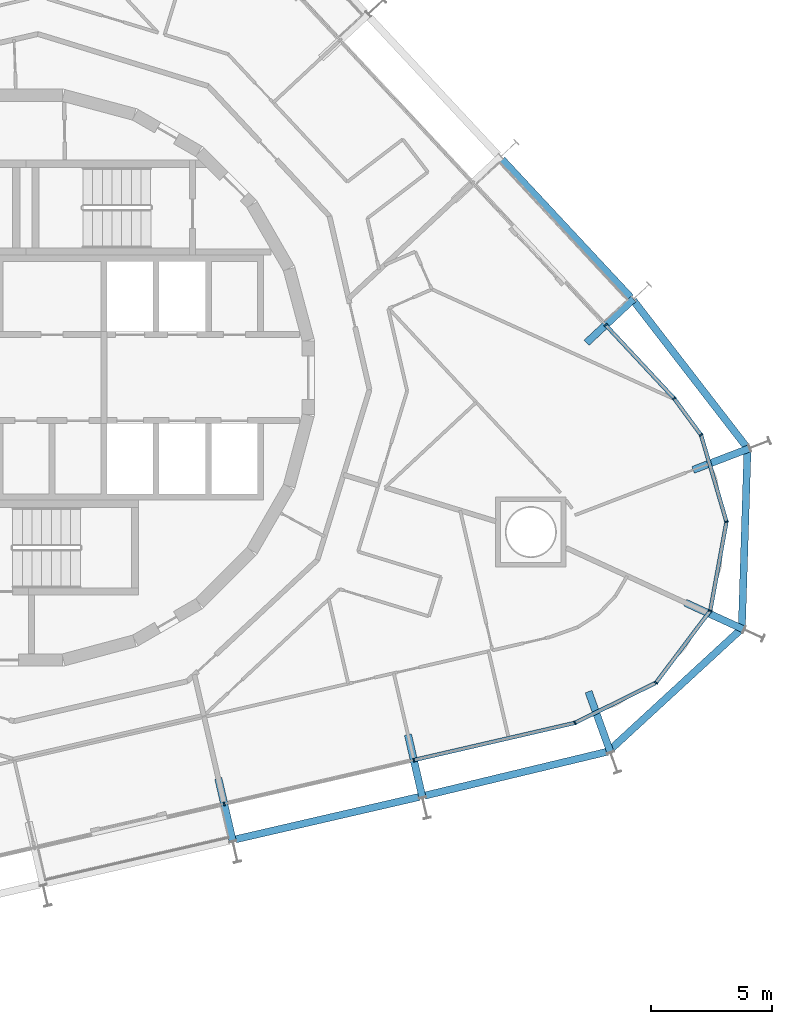
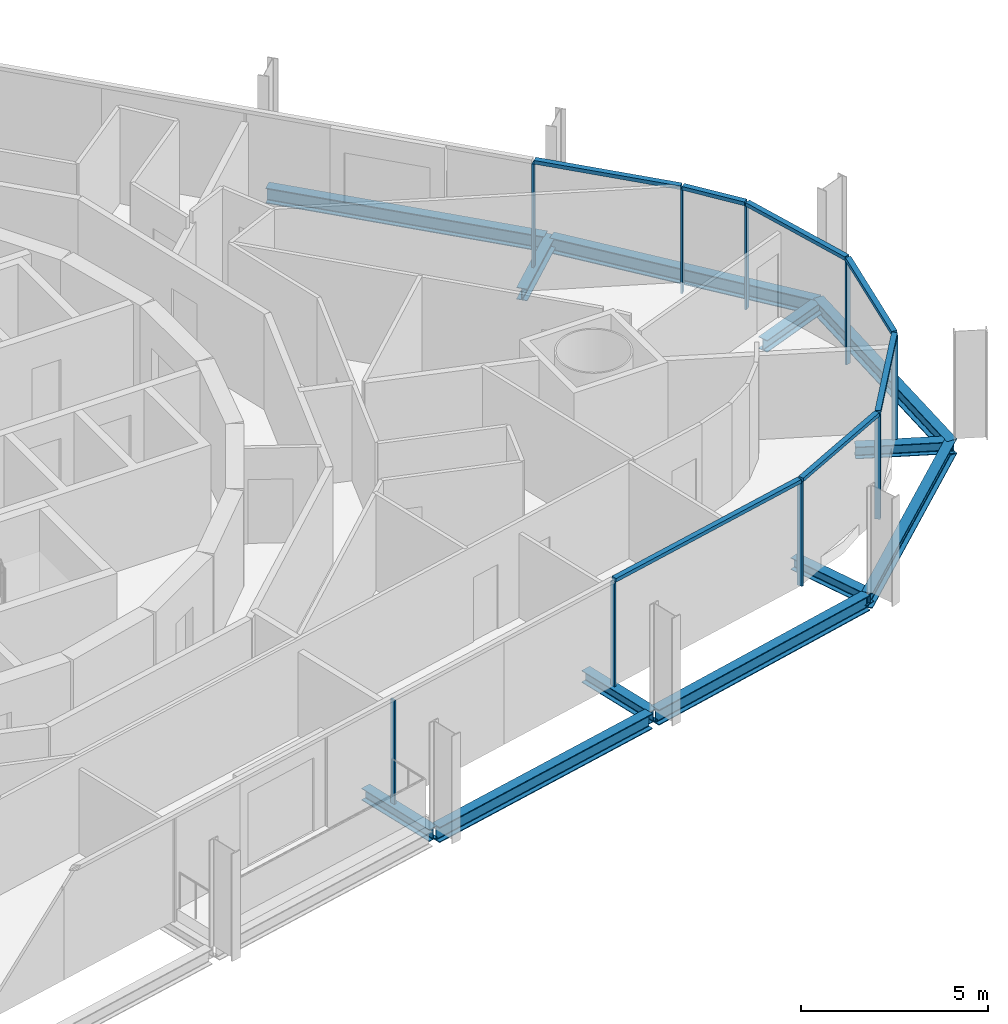
# One storey, part 6 of 18: 16 members, 12 beams, 3 elements without a shape of their own.
"""IFC4 building model written with IfcOpenShell, lengths in metres."""

from ifc_helpers import new_model, si_unit, direction, frame, origin, origin_2d, place, context, subcontext, project, spatial, rectangle, i_section, extrude, material, layer, layer_set, material_profile, profile_set, type_object, element, aggregate, save


model = new_model("IFC4")

# Units and contexts
model_context = context("Model", 3, precision=1e-05, world=origin(), true_north=direction((0.0, 1.0)))
body_context = subcontext(model_context, "Body", "Model", "MODEL_VIEW")
ifc_project = project(units=[si_unit("LENGTHUNIT", "METRE"), si_unit("AREAUNIT", "SQUARE_METRE"), si_unit("VOLUMEUNIT", "CUBIC_METRE"), si_unit("PLANEANGLEUNIT", "RADIAN"), si_unit("MASSUNIT", "GRAM", prefix="KILO")], contexts=[model_context])

# Site, building, storey
site_placement = place(None, origin())
site = spatial("IfcSite", under=ifc_project, at=site_placement, CompositionType="ELEMENT")
building_placement = place(site_placement, origin())
building = spatial("IfcBuilding", under=site, at=building_placement, Name="Spindle Arch Residences", CompositionType="ELEMENT")
storey_placement = place(building_placement, frame((0.0, 0.0, 123.89990234375)))
storey = spatial("IfcBuildingStorey", under=building, at=storey_placement, Name="L30", CompositionType="ELEMENT", Elevation=123.89990234375)

# Curtain wall, members
ifc_material_1 = material(Name="Aluminium bronze unitised frame with tinted glass", Category="aluminium")
ifc_layer_1 = layer(ifc_material_1, 0.159912109375)
ifc_layer_set_1 = layer_set([ifc_layer_1], Name="CW-D corner wall on the fillet arcs")
curtain_wall_type_1 = type_object("IfcCurtainWallType", Name="CW-D corner wall on the fillet arcs", PredefinedType="NOTDEFINED", material=ifc_layer_set_1)
curtain_wall_1_placement = place(storey_placement, origin())
curtain_wall_1 = element("IfcCurtainWall", 1, at=curtain_wall_1_placement, inside=storey, type_object=curtain_wall_type_1, Name="CW-D L30 run 1", PredefinedType="NOTDEFINED")
ifc_material_2 = material(Name="Aluminium bronze anodised mullion", Category="aluminium")
ifc_material_profile_1 = material_profile(ifc_material_2, rectangle(XDim=0.159912109375, YDim=0.06005859375, at=origin_2d()), Name="MU 60x160")
ifc_profile_set_1 = profile_set([ifc_material_profile_1], Name="Aluminium bronze anodised mullion")
member_type_1 = type_object("IfcMemberType", Name="Bronze mullion 60x160", PredefinedType="MULLION", material=ifc_profile_set_1)
member_1_placement = place(storey_placement, frame((16.002685546875, -15.775390625, -0.3798828125), z_axis=(0.0, 0.0, 1.0), x_axis=(-0.224951054344, 0.974370064785, 0.0)))
member_1 = element("IfcMember", 2, at=member_1_placement, type_object=member_type_1, Name="CW-D mullion 00", PredefinedType="MULLION", context=body_context, shape_type="SweptSolid", body=[
    extrude(rectangle(XDim=0.159912109375, YDim=0.06005859375, at=origin_2d()), origin(), (0.0, 0.0, 1.0), 3.3798828125),
])
member_2_placement = place(storey_placement, frame((22.647705078125, -14.2412109375, -0.3798828125), z_axis=(0.0, 0.0, 1.0), x_axis=(-0.443592675931, 0.896228507614, 0.0)))
member_2 = element("IfcMember", 3, at=member_2_placement, type_object=member_type_1, Name="CW-D mullion 01", PredefinedType="MULLION", context=body_context, shape_type="SweptSolid", body=[
    extrude(rectangle(XDim=0.159912109375, YDim=0.06005859375, at=origin_2d()), origin(), (0.0, 0.0, 1.0), 3.3798828125),
])
member_3_placement = place(storey_placement, frame((25.987548828125, -12.588134765625, -0.3798828125), z_axis=(0.0, 0.0, 1.0), x_axis=(-0.798635511056, 0.601815021814, 0.0)))
member_3 = element("IfcMember", 4, at=member_3_placement, type_object=member_type_1, Name="CW-D mullion 02", PredefinedType="MULLION", context=body_context, shape_type="SweptSolid", body=[
    extrude(rectangle(XDim=0.159912109375, YDim=0.06005859375, at=origin_2d()), origin(), (0.0, 0.0, 1.0), 3.3798828125),
])
member_4_placement = place(storey_placement, frame((28.23046875, -9.61181640625, -0.3798828125), z_axis=(0.0, 0.0, 1.0), x_axis=(-0.983780848179, 0.17937458782, 0.0)))
member_4 = element("IfcMember", 5, at=member_4_placement, type_object=member_type_1, Name="CW-D mullion 03", PredefinedType="MULLION", context=body_context, shape_type="SweptSolid", body=[
    extrude(rectangle(XDim=0.159912109375, YDim=0.06005859375, at=origin_2d()), origin(), (0.0, 0.0, 1.0), 3.3798828125),
])
member_5_placement = place(storey_placement, frame((28.89892578125, -5.945556640625, -0.3798828125), z_axis=(0.0, 0.0, 1.0), x_axis=(-0.959641844554, -0.281225052549, 0.0)))
member_5 = element("IfcMember", 6, at=member_5_placement, type_object=member_type_1, Name="CW-D mullion 04", PredefinedType="MULLION", context=body_context, shape_type="SweptSolid", body=[
    extrude(rectangle(XDim=0.159912109375, YDim=0.06005859375, at=origin_2d()), origin(), (0.0, 0.0, 1.0), 3.3798828125),
])
member_6_placement = place(storey_placement, frame((27.850830078125, -2.369140625, -0.3798828125), z_axis=(0.0, 0.0, 1.0), x_axis=(-0.805583724819, -0.592481951039, 0.0)))
member_6 = element("IfcMember", 7, at=member_6_placement, type_object=member_type_1, Name="CW-D mullion 05", PredefinedType="MULLION", context=body_context, shape_type="SweptSolid", body=[
    extrude(rectangle(XDim=0.159912109375, YDim=0.06005859375, at=origin_2d()), origin(), (0.0, 0.0, 1.0), 3.3798828125),
])
member_7_placement = place(storey_placement, frame((26.7392578125, -0.85791015625, -0.3798828125), z_axis=(0.0, 0.0, 1.0), x_axis=(-0.731353701619, -0.681998360062, 0.0)))
member_7 = element("IfcMember", 8, at=member_7_placement, type_object=member_type_1, Name="CW-D mullion 06", PredefinedType="MULLION", context=body_context, shape_type="SweptSolid", body=[
    extrude(rectangle(XDim=0.159912109375, YDim=0.06005859375, at=origin_2d()), origin(), (0.0, 0.0, 1.0), 3.3798828125),
])

# Curtain wall, member
ifc_material_3 = material(Name="Aluminium bronze unitised frame with tinted glass", Category="aluminium")
ifc_layer_2 = layer(ifc_material_3, 0.159912109375)
ifc_layer_set_2 = layer_set([ifc_layer_2], Name="CW-C typical residential unitised wall")
curtain_wall_type_2 = type_object("IfcCurtainWallType", Name="CW-C typical residential unitised wall", PredefinedType="NOTDEFINED", material=ifc_layer_set_2)
curtain_wall_2_placement = place(storey_placement, origin())
curtain_wall_2 = element("IfcCurtainWall", 9, at=curtain_wall_2_placement, inside=storey, type_object=curtain_wall_type_2, Name="CW-C L30 run 2", PredefinedType="NOTDEFINED")
member_8_placement = place(storey_placement, frame((23.91357421875, 2.172607421875, -0.3798828125), z_axis=(0.0, 0.0, 1.0), x_axis=(-0.731353701619, -0.681998360062, 0.0)))
member_8 = element("IfcMember", 10, at=member_8_placement, type_object=member_type_1, Name="CW-C mullion 05", PredefinedType="MULLION", context=body_context, shape_type="SweptSolid", body=[
    extrude(rectangle(XDim=0.159912109375, YDim=0.06005859375, at=origin_2d()), origin(), (0.0, 0.0, 1.0), 3.3798828125),
])
aggregate(curtain_wall_2, [member_8])

curtain_wall_3_placement = place(storey_placement, origin())
curtain_wall_3 = element("IfcCurtainWall", 11, at=curtain_wall_3_placement, inside=storey, type_object=curtain_wall_type_2, Name="CW-C L30 run 6", PredefinedType="NOTDEFINED")
member_9_placement = place(storey_placement, frame((8.17919921875, -17.58154296875, -0.3798828125), z_axis=(0.0, 0.0, 1.0), x_axis=(-0.224951054344, 0.974370064785, 0.0)))
member_9 = element("IfcMember", 12, at=member_9_placement, type_object=member_type_1, Name="CW-C mullion 00", PredefinedType="MULLION", context=body_context, shape_type="SweptSolid", body=[
    extrude(rectangle(XDim=0.159912109375, YDim=0.06005859375, at=origin_2d()), origin(), (0.0, 0.0, 1.0), 3.3798828125),
])
aggregate(curtain_wall_3, [member_9])

# Member
ifc_material_4 = material(Name="Aluminium bronze anodised transom", Category="aluminium")
ifc_material_profile_2 = material_profile(ifc_material_4, rectangle(XDim=0.159912109375, YDim=0.1201171875, at=origin_2d()), Name="TR 120x160")
ifc_profile_set_2 = profile_set([ifc_material_profile_2], Name="Aluminium bronze anodised transom")
member_type_2 = type_object("IfcMemberType", Name="Bronze transom 120x160", PredefinedType="USERDEFINED", material=ifc_profile_set_2)
member_10_placement = place(storey_placement, frame((16.03173828125, -15.7685546875, 3.06005859375), z_axis=(0.974374758263, 0.224930723691, 0.0), x_axis=(-0.224930723691, 0.974374758263, 0.0)))
member_10 = element("IfcMember", 13, at=member_10_placement, type_object=member_type_2, Name="CW-D transom 00", ObjectType="TRANSOM", PredefinedType="USERDEFINED", context=body_context, shape_type="SweptSolid", body=[
    extrude(rectangle(XDim=0.159912109375, YDim=0.1201171875, at=origin_2d()), origin(), (0.0, 0.0, 1.0), 6.760009765625),
])

member_11_placement = place(storey_placement, frame((22.674560546875, -14.22802734375, 3.06005859375), z_axis=(0.896204490037, 0.443641197408, 0.0), x_axis=(-0.443641197408, 0.896204490037, 0.0)))
member_11 = element("IfcMember", 14, at=member_11_placement, type_object=member_type_2, Name="CW-D transom 01", ObjectType="TRANSOM", PredefinedType="USERDEFINED", context=body_context, shape_type="SweptSolid", body=[
    extrude(rectangle(XDim=0.159912109375, YDim=0.1201171875, at=origin_2d()), origin(), (0.0, 0.0, 1.0), 3.666748046875),
])

member_12_placement = place(storey_placement, frame((26.005615234375, -12.564208984375, 3.06005859375), z_axis=(0.601820083797, 0.798631696553, 0.0), x_axis=(-0.798631696553, 0.601820083797, 0.0)))
member_12 = element("IfcMember", 15, at=member_12_placement, type_object=member_type_2, Name="CW-D transom 02", ObjectType="TRANSOM", PredefinedType="USERDEFINED", context=body_context, shape_type="SweptSolid", body=[
    extrude(rectangle(XDim=0.159912109375, YDim=0.1201171875, at=origin_2d()), origin(), (0.0, 0.0, 1.0), 3.666748046875),
])

member_13_placement = place(storey_placement, frame((28.23583984375, -9.582275390625, 3.06005859375), z_axis=(0.179377605594, 0.983780297938, 0.0), x_axis=(-0.983780297938, 0.179377605594, 0.0)))
member_13 = element("IfcMember", 16, at=member_13_placement, type_object=member_type_2, Name="CW-D transom 03", ObjectType="TRANSOM", PredefinedType="USERDEFINED", context=body_context, shape_type="SweptSolid", body=[
    extrude(rectangle(XDim=0.159912109375, YDim=0.1201171875, at=origin_2d()), origin(), (0.0, 0.0, 1.0), 3.666748046875),
])

member_14_placement = place(storey_placement, frame((28.890625, -5.916748046875, 3.06005859375), z_axis=(-0.281239778168, 0.959637529058, 0.0), x_axis=(-0.959637529058, -0.281239778168, 0.0)))
member_14 = element("IfcMember", 17, at=member_14_placement, type_object=member_type_2, Name="CW-D transom 04", ObjectType="TRANSOM", PredefinedType="USERDEFINED", context=body_context, shape_type="SweptSolid", body=[
    extrude(rectangle(XDim=0.159912109375, YDim=0.1201171875, at=origin_2d()), origin(), (0.0, 0.0, 1.0), 3.666748046875),
])

member_15_placement = place(storey_placement, frame((27.833251953125, -2.344970703125, 3.06005859375), z_axis=(-0.592575212526, 0.805515125557, 0.0), x_axis=(-0.805515125557, -0.592575212526, 0.0)))
member_15 = element("IfcMember", 18, at=member_15_placement, type_object=member_type_2, Name="CW-D transom 05", ObjectType="TRANSOM", PredefinedType="USERDEFINED", context=body_context, shape_type="SweptSolid", body=[
    extrude(rectangle(XDim=0.159912109375, YDim=0.1201171875, at=origin_2d()), origin(), (0.0, 0.0, 1.0), 1.816162109375),
])

member_16_placement = place(storey_placement, frame((26.718994140625, -0.8359375, 3.06005859375), z_axis=(-0.681983744213, 0.731367330846, 0.0), x_axis=(-0.731367330846, -0.681983744213, 0.0)))
member_16 = element("IfcMember", 19, at=member_16_placement, type_object=member_type_2, Name="CW-D transom 06", ObjectType="TRANSOM", PredefinedType="USERDEFINED", context=body_context, shape_type="SweptSolid", body=[
    extrude(rectangle(XDim=0.159912109375, YDim=0.1201171875, at=origin_2d()), origin(), (0.0, 0.0, 1.0), 4.08349609375),
])

aggregate(curtain_wall_1, [member_1, member_10, member_2, member_11, member_3, member_12, member_4, member_13, member_5, member_14, member_6, member_15, member_7, member_16])

# Beams
ifc_material_5 = material(Name="Steel S460ML, intumescent coating R 120", Category="steel")
ifc_material_profile_3 = material_profile(ifc_material_5, i_section(OverallWidth=0.300048828125, OverallDepth=0.5, WebThickness=0.014404296875, FlangeThickness=0.028076171875, FilletRadius=0.027099609375, at=origin_2d()), Name="HEB 500")
ifc_profile_set_3 = profile_set([ifc_material_profile_3], Name="Steel S460ML, intumescent coating R 120")
beam_type_1 = type_object("IfcBeamType", Name="Exoskeleton edge beam HEB 500", PredefinedType="BEAM", material=ifc_profile_set_3)
beam_1_placement = place(storey_placement, frame((8.64990234375, -19.043212890625, -0.6298828125), z_axis=(0.974368417755, 0.224958188297, 0.0), x_axis=(-0.224958188297, 0.974368417755, 0.0)))
element("IfcBeam", 20, at=beam_1_placement, inside=storey, type_object=beam_type_1, Name="Exoskeleton edge beam 1", PredefinedType="BEAM", context=body_context, shape_type="SweptSolid", body=[
    extrude(i_section(OverallWidth=0.300048828125, OverallDepth=0.5, WebThickness=0.014404296875, FlangeThickness=0.028076171875, FilletRadius=0.027099609375, at=origin_2d()), origin(), (0.0, 0.0, 1.0), 7.76953125),
])
beam_2_placement = place(storey_placement, frame((16.44482421875, -17.243408203125, -0.6298828125), z_axis=(0.972297635128, 0.233746248579, 0.0), x_axis=(-0.233746248579, 0.972297635128, 0.0)))
element("IfcBeam", 21, at=beam_2_placement, inside=storey, type_object=beam_type_1, Name="Exoskeleton edge beam 2", PredefinedType="BEAM", context=body_context, shape_type="SweptSolid", body=[
    extrude(i_section(OverallWidth=0.300048828125, OverallDepth=0.5, WebThickness=0.014404296875, FlangeThickness=0.028076171875, FilletRadius=0.027099609375, at=origin_2d()), origin(), (0.0, 0.0, 1.0), 7.7666015625),
])
for number, where, z_axis, x_axis, name in (
    (22, (24.025146484375, -15.419189453125, -0.6298828125), (0.73568442847, 0.677324458223, 0.0), (-0.677324458223, 0.73568442847, 0.0), "Exoskeleton edge beam 3"),
    (23, (29.5283203125, -10.42578125, -0.6298828125), (0.031715707037, 0.999496930424, 0.0), (-0.999496930424, 0.031715707037, 0.0), "Exoskeleton edge beam 4"),
):
    element("IfcBeam", number, at=place(storey_placement, frame(where, z_axis=z_axis, x_axis=x_axis)), inside=storey, type_object=beam_type_1, Name=name, PredefinedType="BEAM", context=body_context, shape_type="SweptSolid", body=[
        extrude(i_section(OverallWidth=0.300048828125, OverallDepth=0.5, WebThickness=0.014404296875, FlangeThickness=0.028076171875, FilletRadius=0.027099609375, at=origin_2d()), origin(), (0.0, 0.0, 1.0), 7.559326171875),
    ])
beam_3_placement = place(storey_placement, frame((29.766845703125, -2.91259765625, -0.6298828125), z_axis=(-0.611305970043, 0.791394346069, 0.0), x_axis=(-0.791394346069, -0.611305970043, 0.0)))
element("IfcBeam", 24, at=beam_3_placement, inside=storey, type_object=beam_type_1, Name="Exoskeleton edge beam 5", PredefinedType="BEAM", context=body_context, shape_type="SweptSolid", body=[
    extrude(i_section(OverallWidth=0.300048828125, OverallDepth=0.5, WebThickness=0.014404296875, FlangeThickness=0.028076171875, FilletRadius=0.027099609375, at=origin_2d()), origin(), (0.0, 0.0, 1.0), 7.708251953125),
])
beam_4_placement = place(storey_placement, frame((24.94384765625, 3.31103515625, -0.6298828125), z_axis=(-0.682008048331, 0.731344667042, 0.0), x_axis=(-0.731344667042, -0.682008048331, 0.0)))
element("IfcBeam", 25, at=beam_4_placement, inside=storey, type_object=beam_type_1, Name="Exoskeleton edge beam 6", PredefinedType="BEAM", context=body_context, shape_type="SweptSolid", body=[
    extrude(i_section(OverallWidth=0.300048828125, OverallDepth=0.5, WebThickness=0.014404296875, FlangeThickness=0.028076171875, FilletRadius=0.027099609375, at=origin_2d()), origin(), (0.0, 0.0, 1.0), 7.76904296875),
])
ifc_material_6 = material(Name="Steel S460ML, intumescent coating R 120", Category="steel")
ifc_material_profile_4 = material_profile(ifc_material_6, i_section(OverallWidth=0.300048828125, OverallDepth=0.389892578125, WebThickness=0.010986328125, FlangeThickness=0.01904296875, FilletRadius=0.027099609375, at=origin_2d()), Name="HEA 400")
ifc_profile_set_4 = profile_set([ifc_material_profile_4], Name="Steel S460ML, intumescent coating R 120")
beam_type_2 = type_object("IfcBeamType", Name="Floor outrigger HEA 400", PredefinedType="BEAM", material=ifc_profile_set_4)
for number, where, z_axis, x_axis, name in (
    (26, (8.532470703125, -19.111328125, -0.574951171875), (-0.224980619228, 0.974363238721, 0.0), (-0.974363238721, -0.224980619228, 0.0), "Floor outrigger 1"),
    (27, (16.355712890625, -17.30517578125, -0.574951171875), (-0.224893150114, 0.974383431218, 0.0), (-0.974383431218, -0.224893150114, 0.0), "Floor outrigger 2"),
):
    element("IfcBeam", number, at=place(storey_placement, frame(where, z_axis=z_axis, x_axis=x_axis)), inside=storey, type_object=beam_type_2, Name=name, PredefinedType="BEAM", context=body_context, shape_type="SweptSolid", body=[
        extrude(i_section(OverallWidth=0.300048828125, OverallDepth=0.389892578125, WebThickness=0.010986328125, FlangeThickness=0.01904296875, FilletRadius=0.027099609375, at=origin_2d()), origin(), (0.0, 0.0, 1.0), 2.64990234375),
    ])
beam_5_placement = place(storey_placement, frame((24.1083984375, -15.444580078125, -0.574951171875), z_axis=(-0.339759917159, 0.940512200183, 0.0), x_axis=(-0.940512200183, -0.339759917159, 0.0)))
element("IfcBeam", 28, at=beam_5_placement, inside=storey, type_object=beam_type_2, Name="Floor outrigger 3", PredefinedType="BEAM", context=body_context, shape_type="SweptSolid", body=[
    extrude(i_section(OverallWidth=0.300048828125, OverallDepth=0.389892578125, WebThickness=0.010986328125, FlangeThickness=0.01904296875, FilletRadius=0.027099609375, at=origin_2d()), origin(), (0.0, 0.0, 1.0), 2.650146484375),
])
beam_6_placement = place(storey_placement, frame((29.604736328125, -10.384033203125, -0.574951171875), z_axis=(-0.909319126007, 0.416099419703, 0.0), x_axis=(-0.416099419703, -0.909319126007, 0.0)))
element("IfcBeam", 29, at=beam_6_placement, inside=storey, type_object=beam_type_2, Name="Floor outrigger 4", PredefinedType="BEAM", context=body_context, shape_type="SweptSolid", body=[
    extrude(i_section(OverallWidth=0.300048828125, OverallDepth=0.389892578125, WebThickness=0.010986328125, FlangeThickness=0.01904296875, FilletRadius=0.027099609375, at=origin_2d()), origin(), (0.0, 0.0, 1.0), 2.649658203125),
])
beam_7_placement = place(storey_placement, frame((29.841796875, -2.9169921875, -0.574951171875), z_axis=(-0.933858846877, -0.35764179581, 0.0), x_axis=(0.35764179581, -0.933858846877, 0.0)))
element("IfcBeam", 30, at=beam_7_placement, inside=storey, type_object=beam_type_2, Name="Floor outrigger 5", PredefinedType="BEAM", context=body_context, shape_type="SweptSolid", body=[
    extrude(i_section(OverallWidth=0.300048828125, OverallDepth=0.389892578125, WebThickness=0.010986328125, FlangeThickness=0.01904296875, FilletRadius=0.027099609375, at=origin_2d()), origin(), (0.0, 0.0, 1.0), 2.484130859375),
])
beam_8_placement = place(storey_placement, frame((25.061767578125, 3.2431640625, -0.574951171875), z_axis=(-0.731321752584, -0.682032619599, 0.0), x_axis=(0.682032619599, -0.731321752584, 0.0)))
element("IfcBeam", 31, at=beam_8_placement, inside=storey, type_object=beam_type_2, Name="Floor outrigger 6", PredefinedType="BEAM", context=body_context, shape_type="SweptSolid", body=[
    extrude(i_section(OverallWidth=0.300048828125, OverallDepth=0.389892578125, WebThickness=0.010986328125, FlangeThickness=0.01904296875, FilletRadius=0.027099609375, at=origin_2d()), origin(), (0.0, 0.0, 1.0), 2.64990234375),
])

save(model, "model.ifc")
